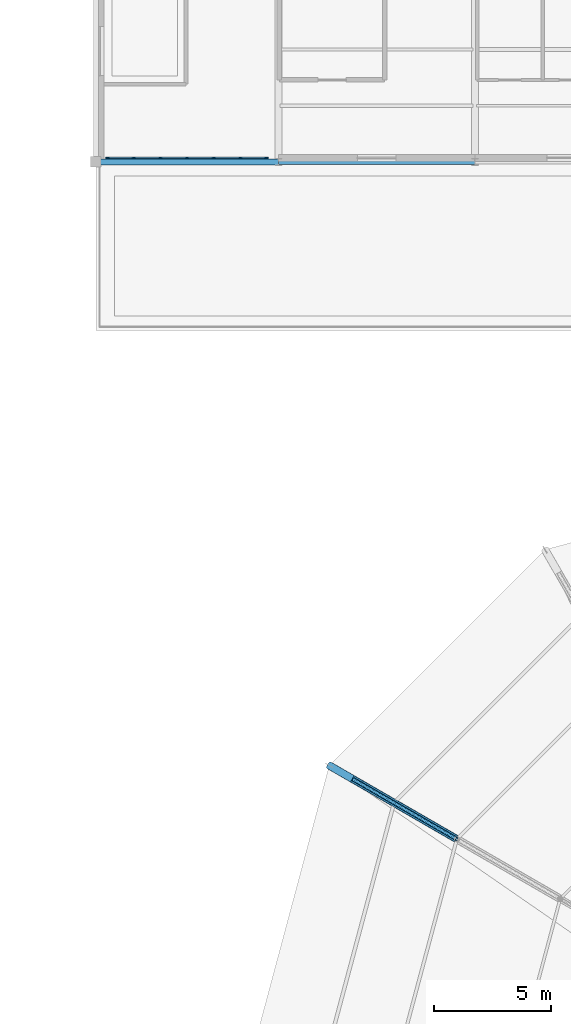
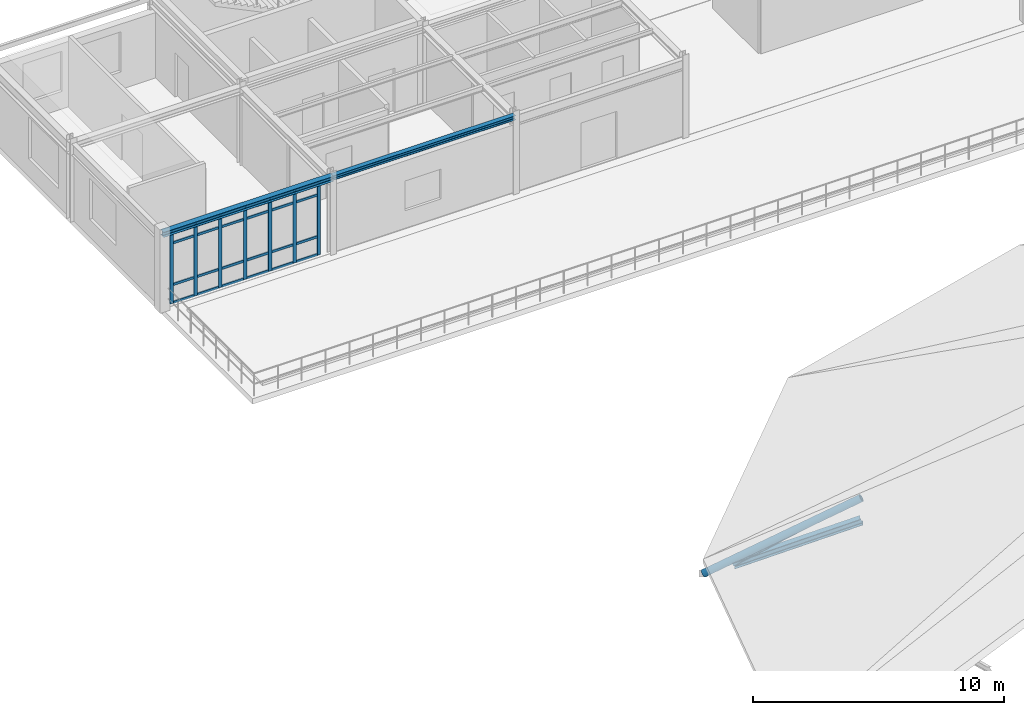
# One storey, part 14 of 58: 34 members, 2 beams, 1 element without a shape of its own.
"""IFC4 building model written with IfcOpenShell, lengths in metres."""

import ifcopenshell
import ifcopenshell.guid

model = None  # the IFC model being written
_history = None  # IfcOwnerHistory: only IFC2X3 demands one
_inside = {}  # id of a spatial element -> (the spatial element, [elements in it])
_under = {}  # id of a project, library or spatial element -> (it, [spatial elements below it])
_declared = {}  # id of a project -> (the project, [libraries it declares])
_typed = {}  # id of a type object -> (the type object, [elements of that type])
_made_of = {}  # id of a material, layer set ... -> (it, [elements and type objects made of it])


def new_model(schema):
    """Start an empty IFC model of exactly this schema.

    Asked for "IFC4X3", IfcOpenShell would pick the latest addendum, in which some entities
    have other attributes; the version numbers below select the first issue.
    IFC2X3 requires an IfcOwnerHistory on every rooted entity: one is made here for all.
    """
    global model, _history
    if schema == "IFC4X3":
        model = ifcopenshell.file(schema_version=(4, 3, 0, 0))
    else:
        model = ifcopenshell.file(schema=schema)
    _inside.clear()
    _under.clear()
    _declared.clear()
    _typed.clear()
    _made_of.clear()
    _history = None
    if model.schema == "IFC2X3":
        org = make("IfcOrganization", Name="unknown")
        user = make(
            "IfcPersonAndOrganization",
            ThePerson=make("IfcPerson", FamilyName="unknown"),
            TheOrganization=org,
        )
        app = make(
            "IfcApplication",
            ApplicationDeveloper=org,
            Version="unknown",
            ApplicationFullName="unknown",
            ApplicationIdentifier="unknown",
        )
        _history = make(
            "IfcOwnerHistory",
            OwningUser=user,
            OwningApplication=app,
            ChangeAction="ADDED",
            CreationDate=0,
        )
    return model


def make(cls, **values):
    """One entity of the class cls with the attributes given. An attribute that is None is left unset."""
    return model.create_entity(
        cls, **{name: value for name, value in values.items() if value is not None}
    )


def rooted(cls, **values):
    """An entity with a GlobalId (a new one), such as an element, a storey or a relation."""
    return make(cls, GlobalId=ifcopenshell.guid.new(), OwnerHistory=_history, **values)


def si_unit(unit_type, name, prefix=None):
    """IfcSIUnit, for example si_unit("LENGTHUNIT", "METRE", prefix="MILLI")."""
    return make("IfcSIUnit", UnitType=unit_type, Prefix=prefix, Name=name)


def derived_unit(unit_type, elements):
    """IfcDerivedUnit: a product of units, each with its exponent."""
    return make(
        "IfcDerivedUnit",
        Elements=[
            make("IfcDerivedUnitElement", Unit=unit, Exponent=power)
            for unit, power in elements
        ],
        UnitType=unit_type,
    )


def assignment(units):
    """IfcUnitAssignment: the units of a project."""
    return None if units is None else make("IfcUnitAssignment", Units=units)


def point(xyz):
    """IfcCartesianPoint."""
    return None if xyz is None else make("IfcCartesianPoint", Coordinates=xyz)


def direction(xyz):
    """IfcDirection."""
    return None if xyz is None else make("IfcDirection", DirectionRatios=xyz)


def frame(location, z_axis=None, x_axis=None):
    """IfcAxis2Placement3D, a coordinate frame: its origin and axes. An axis left out is left unset."""
    return make(
        "IfcAxis2Placement3D",
        Location=point(location),
        Axis=direction(z_axis),
        RefDirection=direction(x_axis),
    )


def frame_2d(location, x_axis=None):
    """IfcAxis2Placement2D, a coordinate frame in the plane: its origin and x axis."""
    return make(
        "IfcAxis2Placement2D", Location=point(location), RefDirection=direction(x_axis)
    )


def origin():
    """The frame at (0, 0, 0) with its axes left unset."""
    return frame((0.0, 0.0, 0.0))


def origin_2d():
    """The frame at (0, 0) in the plane with its x axis left unset."""
    return frame_2d((0.0, 0.0))


def place(relative_to, where):
    """IfcLocalPlacement: puts the frame where relative to a parent placement (None: the world)."""
    return make(
        "IfcLocalPlacement", PlacementRelTo=relative_to, RelativePlacement=where
    )


def context(
    kind, dimensions, precision=None, world=None, true_north=None, identifier=None
):
    """IfcGeometricRepresentationContext, for example the 3D "Model" context."""
    return make(
        "IfcGeometricRepresentationContext",
        ContextIdentifier=identifier,
        ContextType=kind,
        CoordinateSpaceDimension=dimensions,
        Precision=precision,
        WorldCoordinateSystem=world,
        TrueNorth=true_north,
    )


def subcontext(parent, identifier, kind, view, scale=None):
    """IfcGeometricRepresentationSubContext, for example "Body" below "Model"."""
    return make(
        "IfcGeometricRepresentationSubContext",
        ContextIdentifier=identifier,
        ContextType=kind,
        ParentContext=parent,
        TargetScale=scale,
        TargetView=view,
    )


def project(units=None, contexts=None):
    """IfcProject with its units and contexts."""
    return rooted(
        "IfcProject",
        Name="project",
        RepresentationContexts=contexts,
        UnitsInContext=assignment(units),
    )


def spatial(cls, under=None, at=None, **own):
    """A site, building, storey or space (cls), placed at a placement, below another one or the project."""
    s = rooted(cls, ObjectPlacement=at, **own)
    if under is not None:
        _under.setdefault(under.id(), (under, []))[1].append(s)
    return s


def profile(cls, at=None, kind="AREA", **sizes):
    """A parametric profile (cls). Its sizes go by their IFC names, for example OverallWidth=200.0."""
    return make(cls, ProfileType=kind, Position=at, **sizes)


def rectangle(**sizes):
    """IfcRectangleProfileDef."""
    return profile("IfcRectangleProfileDef", **sizes)


def hollow_circle(**sizes):
    """IfcCircleHollowProfileDef."""
    return profile("IfcCircleHollowProfileDef", **sizes)


def i_section(**sizes):
    """IfcIShapeProfileDef."""
    return profile("IfcIShapeProfileDef", **sizes)


def extrude(swept, where, along, depth):
    """IfcExtrudedAreaSolid: the profile swept, set in the frame where, extruded along a direction by depth."""
    return make(
        "IfcExtrudedAreaSolid",
        SweptArea=swept,
        Position=where,
        ExtrudedDirection=direction(along),
        Depth=depth,
    )


def shape(context_of_items, identifier, shape_type, items):
    """IfcShapeRepresentation: the items that make up one representation, for example the "Body"."""
    return make(
        "IfcShapeRepresentation",
        ContextOfItems=context_of_items,
        RepresentationIdentifier=identifier,
        RepresentationType=shape_type,
        Items=items,
    )


def material(Name=None, Category=None):
    """IfcMaterial."""
    return make("IfcMaterial", Name=Name, Category=Category)


def layer(
    of_material, thickness, ventilated=None, Name=None, Category=None, Priority=None
):
    """IfcMaterialLayer: one layer of a wall or slab, of a material (None: an air gap)."""
    return make(
        "IfcMaterialLayer",
        Material=of_material,
        LayerThickness=thickness,
        IsVentilated=ventilated,
        Name=Name,
        Category=Category,
        Priority=Priority,
    )


def layer_set(layers, Name=None):
    """IfcMaterialLayerSet."""
    return make("IfcMaterialLayerSet", MaterialLayers=layers, LayerSetName=Name)


def material_profile(
    of_material, cross_section, Name=None, Category=None, Priority=None
):
    """IfcMaterialProfile: a cross section and its material."""
    return make(
        "IfcMaterialProfile",
        Name=Name,
        Material=of_material,
        Profile=cross_section,
        Priority=Priority,
        Category=Category,
    )


def profile_set(profiles, Name=None, composite=None):
    """IfcMaterialProfileSet."""
    return make(
        "IfcMaterialProfileSet",
        Name=Name,
        MaterialProfiles=profiles,
        CompositeProfile=composite,
    )


def made_of(thing, what):
    """Note that an element or type object is made of a material, layer set ...; save() writes the relation."""
    if what is not None:
        _made_of.setdefault(what.id(), (what, []))[1].append(thing)
    return thing


def type_object(cls, material=None, **own):
    """A type object (cls), such as IfcWallType, which elements share."""
    return made_of(rooted(cls, **own), material)


def element(
    cls,
    number,
    at=None,
    inside=None,
    cuts=None,
    type_object=None,
    material=None,
    context=None,
    identifier="Body",
    shape_type=None,
    held_by="IfcProductDefinitionShape",
    body=None,
    shapes=None,
    **own,
):
    """One element of the class cls, such as IfcWall. Its Tag is "e" and its number.

    at: its placement. inside: the storey or other place that contains it. cuts: it is an
    opening in that element (IfcRelVoidsElement). A single representation is given by context,
    identifier, shape_type and body (its items); several are given by shapes. held_by: the class
    of the entity that holds the representations. save() writes the other relations.
    """
    e = rooted(cls, Tag="e%d" % number, ObjectPlacement=at, **own)
    if body is not None:
        shapes = [shape(context, identifier, shape_type, body)]
    if shapes is not None:
        e.Representation = make(held_by, Representations=shapes)
    if inside is not None:
        _inside.setdefault(inside.id(), (inside, []))[1].append(e)
    if cuts is not None:
        rooted(
            "IfcRelVoidsElement", RelatingBuildingElement=cuts, RelatedOpeningElement=e
        )
    if type_object is not None:
        _typed.setdefault(type_object.id(), (type_object, []))[1].append(e)
    return made_of(e, material)


def aggregate(whole, parts):
    """IfcRelAggregates: a whole, such as a stair, and the parts it consists of."""
    return rooted("IfcRelAggregates", RelatingObject=whole, RelatedObjects=parts)


def save(model, path):
    """Write the relations noted so far, then the file.

    IfcRelAggregates (storeys below a building ...), IfcRelContainedInSpatialStructure (elements
    in a storey), IfcRelDefinesByType, IfcRelAssociatesMaterial and IfcRelDeclares: one each for
    every whole, place, type object, material and project.
    """
    for whole, parts in _under.values():
        aggregate(whole, parts)
    for where, things in _inside.values():
        rooted(
            "IfcRelContainedInSpatialStructure",
            RelatedElements=things,
            RelatingStructure=where,
        )
    for kind, things in _typed.values():
        rooted("IfcRelDefinesByType", RelatedObjects=things, RelatingType=kind)
    for what, things in _made_of.values():
        rooted("IfcRelAssociatesMaterial", RelatedObjects=things, RelatingMaterial=what)
    for by, libraries in _declared.values():
        rooted("IfcRelDeclares", RelatingContext=by, RelatedDefinitions=libraries)
    model.write(path)


model = new_model("IFC4")

# Units and contexts
model_context = context("Model", 3, precision=1e-05, world=origin(), true_north=direction((0.0, 1.0)))
body_context = subcontext(model_context, "Body", "Model", "MODEL_VIEW")
ifc_project = project(units=[si_unit("LENGTHUNIT", "METRE"), si_unit("AREAUNIT", "SQUARE_METRE"), si_unit("VOLUMEUNIT", "CUBIC_METRE"), si_unit("PLANEANGLEUNIT", "RADIAN"), si_unit("MASSUNIT", "GRAM", prefix="KILO"), derived_unit("THERMALTRANSMITTANCEUNIT", [(si_unit("POWERUNIT", "WATT"), 1), (si_unit("AREAUNIT", "SQUARE_METRE"), -1), (si_unit("THERMODYNAMICTEMPERATUREUNIT", "KELVIN"), -1)])], contexts=[model_context])

# Site, building, storey
site_placement = place(None, origin())
site = spatial("IfcSite", under=ifc_project, at=site_placement, CompositionType="ELEMENT")
building_placement = place(site_placement, origin())
building = spatial("IfcBuilding", under=site, at=building_placement, Name="Yasenodar Specialist Clinic", CompositionType="ELEMENT")
storey_placement = place(building_placement, frame((0.0, 0.0, 21.300048828125)))
storey = spatial("IfcBuildingStorey", under=building, at=storey_placement, Name="L05", CompositionType="ELEMENT", Elevation=21.300048828125)

# Beams
ifc_material_1 = material(Name="Steel S355", Category="steel")
ifc_material_profile_1 = material_profile(ifc_material_1, i_section(OverallWidth=0.219970703125, OverallDepth=0.2099609375, WebThickness=0.007080078125, FlangeThickness=0.010986328125, FilletRadius=0.01806640625, at=origin_2d()), Name="HEA 220")
ifc_profile_set_1 = profile_set([ifc_material_profile_1], Name="Steel S355")
beam_type_1 = type_object("IfcBeamType", Name="BM-HEA220", PredefinedType="BEAM", material=ifc_profile_set_1)
beam_1_placement = place(storey_placement, frame((57.0, 97.199951171875, 3.695068359375), z_axis=(1.0, 0.0, 0.0), x_axis=(0.0, 1.0, 0.0)))
element("IfcBeam", 1, at=beam_1_placement, inside=storey, type_object=beam_type_1, Name="L05 Primary E-W Girder", PredefinedType="BEAM", context=body_context, shape_type="SweptSolid", body=[
    extrude(i_section(OverallWidth=0.219970703125, OverallDepth=0.2099609375, WebThickness=0.007080078125, FlangeThickness=0.010986328125, FilletRadius=0.01806640625, at=origin_2d()), origin(), (0.0, 0.0, 1.0), 8.39990234375),
])
ifc_material_profile_2 = material_profile(ifc_material_1, i_section(OverallWidth=0.260009765625, OverallDepth=0.25, WebThickness=0.007568359375, FlangeThickness=0.012451171875, FilletRadius=0.02392578125, at=origin_2d()), Name="HEA 260")
ifc_profile_set_2 = profile_set([ifc_material_profile_2], Name="Steel S355")
beam_type_2 = type_object("IfcBeamType", Name="BM-HEA260", PredefinedType="BEAM", material=ifc_profile_set_2)
beam_2_placement = place(storey_placement, frame((49.199951171875, 97.199951171875, 3.675048828125), z_axis=(1.0, 0.0, 0.0), x_axis=(0.0, 1.0, 0.0)))
element("IfcBeam", 2, at=beam_2_placement, inside=storey, type_object=beam_type_2, Name="L05 Primary E-W Girder", PredefinedType="BEAM", context=body_context, shape_type="SweptSolid", body=[
    extrude(i_section(OverallWidth=0.260009765625, OverallDepth=0.25, WebThickness=0.007568359375, FlangeThickness=0.012451171875, FilletRadius=0.02392578125, at=origin_2d()), origin(), (0.0, 0.0, 1.0), 7.800048828125),
])

# Curtain wall, members
ifc_material_2 = material(Name="Bronze Anodized Aluminium and Triple Low-E Glass", Category="aluminium")
ifc_layer = layer(ifc_material_2, 0.215087890625)
ifc_layer_set = layer_set([ifc_layer], Name="Bronze Anodized Aluminium and Triple Low-E Glass")
curtain_wall_type = type_object("IfcCurtainWallType", Name="CW-SYS-05", PredefinedType="USERDEFINED", material=ifc_layer_set)
curtain_wall_placement = place(storey_placement, origin())
curtain_wall = element("IfcCurtainWall", 3, at=curtain_wall_placement, inside=storey, type_object=curtain_wall_type, Name="L05 Unitised Curtain Wall 167", ObjectType="UNITISED CURTAIN WALL", PredefinedType="USERDEFINED")
ifc_material_3 = material(Name="Bronze Anodized Aluminium", Category="aluminium")
ifc_material_profile_3 = material_profile(ifc_material_3, rectangle(XDim=0.06005859375, YDim=0.159912109375, at=origin_2d()), Name="CW-MULL 60x160")
ifc_profile_set_3 = profile_set([ifc_material_profile_3], Name="Bronze Anodized Aluminium")
member_type_1 = type_object("IfcMemberType", Name="CW-MULL-160", PredefinedType="MULLION", material=ifc_profile_set_3)
member_1_placement = place(storey_placement, frame((56.489990234375, 97.3701171875, 0.0), z_axis=(0.0, 0.0, 1.0), x_axis=(0.0, -1.0, 0.0)))
member_1 = element("IfcMember", 4, at=member_1_placement, type_object=member_type_1, Name="CW-05 mullion 1", PredefinedType="MULLION", context=body_context, shape_type="SweptSolid", body=[
    extrude(rectangle(XDim=0.06005859375, YDim=0.159912109375, at=origin_2d()), origin(), (0.0, 0.0, 1.0), 3.52783203125),
])
member_2_placement = place(storey_placement, frame((55.3798828125, 97.3701171875, 0.0), z_axis=(0.0, 0.0, 1.0), x_axis=(0.0, -1.0, 0.0)))
member_2 = element("IfcMember", 5, at=member_2_placement, type_object=member_type_1, Name="CW-05 mullion 2", PredefinedType="MULLION", context=body_context, shape_type="SweptSolid", body=[
    extrude(rectangle(XDim=0.06005859375, YDim=0.159912109375, at=origin_2d()), origin(), (0.0, 0.0, 1.0), 3.52783203125),
])
member_3_placement = place(storey_placement, frame((54.239990234375, 97.3701171875, 0.0), z_axis=(0.0, 0.0, 1.0), x_axis=(0.0, -1.0, 0.0)))
member_3 = element("IfcMember", 6, at=member_3_placement, type_object=member_type_1, Name="CW-05 mullion 3", PredefinedType="MULLION", context=body_context, shape_type="SweptSolid", body=[
    extrude(rectangle(XDim=0.06005859375, YDim=0.159912109375, at=origin_2d()), origin(), (0.0, 0.0, 1.0), 3.52783203125),
])
member_4_placement = place(storey_placement, frame((53.10009765625, 97.3701171875, 0.0), z_axis=(0.0, 0.0, 1.0), x_axis=(0.0, -1.0, 0.0)))
member_4 = element("IfcMember", 7, at=member_4_placement, type_object=member_type_1, Name="CW-05 mullion 4", PredefinedType="MULLION", context=body_context, shape_type="SweptSolid", body=[
    extrude(rectangle(XDim=0.06005859375, YDim=0.159912109375, at=origin_2d()), origin(), (0.0, 0.0, 1.0), 3.52783203125),
])
member_5_placement = place(storey_placement, frame((51.9599609375, 97.3701171875, 0.0), z_axis=(0.0, 0.0, 1.0), x_axis=(0.0, -1.0, 0.0)))
member_5 = element("IfcMember", 8, at=member_5_placement, type_object=member_type_1, Name="CW-05 mullion 5", PredefinedType="MULLION", context=body_context, shape_type="SweptSolid", body=[
    extrude(rectangle(XDim=0.06005859375, YDim=0.159912109375, at=origin_2d()), origin(), (0.0, 0.0, 1.0), 3.52783203125),
])
member_6_placement = place(storey_placement, frame((50.820068359375, 97.3701171875, 0.0), z_axis=(0.0, 0.0, 1.0), x_axis=(0.0, -1.0, 0.0)))
member_6 = element("IfcMember", 9, at=member_6_placement, type_object=member_type_1, Name="CW-05 mullion 6", PredefinedType="MULLION", context=body_context, shape_type="SweptSolid", body=[
    extrude(rectangle(XDim=0.06005859375, YDim=0.159912109375, at=origin_2d()), origin(), (0.0, 0.0, 1.0), 3.52783203125),
])
member_7_placement = place(storey_placement, frame((49.7099609375, 97.3701171875, 0.0), z_axis=(0.0, 0.0, 1.0), x_axis=(0.0, -1.0, 0.0)))
member_7 = element("IfcMember", 10, at=member_7_placement, type_object=member_type_1, Name="CW-05 mullion 7", PredefinedType="MULLION", context=body_context, shape_type="SweptSolid", body=[
    extrude(rectangle(XDim=0.06005859375, YDim=0.159912109375, at=origin_2d()), origin(), (0.0, 0.0, 1.0), 3.52783203125),
])
ifc_material_profile_4 = material_profile(ifc_material_3, rectangle(XDim=0.06005859375, YDim=0.1201171875, at=origin_2d()), Name="CW-TRAN 60x120")
ifc_profile_set_4 = profile_set([ifc_material_profile_4], Name="Bronze Anodized Aluminium")
member_type_2 = type_object("IfcMemberType", Name="CW-TRAN-120", PredefinedType="USERDEFINED", material=ifc_profile_set_4)
member_8_placement = place(storey_placement, frame((56.4599609375, 97.3701171875, 0.030029296875), z_axis=(-1.0, 0.0, 0.0), x_axis=(0.0, -1.0, 0.0)))
member_8 = element("IfcMember", 11, at=member_8_placement, type_object=member_type_2, Name="CW-05 transom 1.1", ObjectType="TRANSOM", PredefinedType="USERDEFINED", context=body_context, shape_type="SweptSolid", body=[
    extrude(rectangle(XDim=0.06005859375, YDim=0.1201171875, at=origin_2d()), origin(), (0.0, 0.0, 1.0), 1.050048828125),
])
member_9_placement = place(storey_placement, frame((56.4599609375, 97.3701171875, 0.89990234375), z_axis=(-1.0, 0.0, 0.0), x_axis=(0.0, -1.0, 0.0)))
member_9 = element("IfcMember", 12, at=member_9_placement, type_object=member_type_2, Name="CW-05 transom 1.2", ObjectType="TRANSOM", PredefinedType="USERDEFINED", context=body_context, shape_type="SweptSolid", body=[
    extrude(rectangle(XDim=0.06005859375, YDim=0.1201171875, at=origin_2d()), origin(), (0.0, 0.0, 1.0), 1.050048828125),
])
member_10_placement = place(storey_placement, frame((56.4599609375, 97.3701171875, 2.927978515625), z_axis=(-1.0, 0.0, 0.0), x_axis=(0.0, -1.0, 0.0)))
member_10 = element("IfcMember", 13, at=member_10_placement, type_object=member_type_2, Name="CW-05 transom 1.3", ObjectType="TRANSOM", PredefinedType="USERDEFINED", context=body_context, shape_type="SweptSolid", body=[
    extrude(rectangle(XDim=0.06005859375, YDim=0.1201171875, at=origin_2d()), origin(), (0.0, 0.0, 1.0), 1.050048828125),
])
member_11_placement = place(storey_placement, frame((56.4599609375, 97.3701171875, 3.498046875), z_axis=(-1.0, 0.0, 0.0), x_axis=(0.0, -1.0, 0.0)))
member_11 = element("IfcMember", 14, at=member_11_placement, type_object=member_type_2, Name="CW-05 transom 1.4", ObjectType="TRANSOM", PredefinedType="USERDEFINED", context=body_context, shape_type="SweptSolid", body=[
    extrude(rectangle(XDim=0.06005859375, YDim=0.1201171875, at=origin_2d()), origin(), (0.0, 0.0, 1.0), 1.050048828125),
])
member_12_placement = place(storey_placement, frame((55.35009765625, 97.3701171875, 0.030029296875), z_axis=(-1.0, 0.0, 0.0), x_axis=(0.0, -1.0, 0.0)))
member_12 = element("IfcMember", 15, at=member_12_placement, type_object=member_type_2, Name="CW-05 transom 2.1", ObjectType="TRANSOM", PredefinedType="USERDEFINED", context=body_context, shape_type="SweptSolid", body=[
    extrude(rectangle(XDim=0.06005859375, YDim=0.1201171875, at=origin_2d()), origin(), (0.0, 0.0, 1.0), 1.080078125),
])
member_13_placement = place(storey_placement, frame((55.35009765625, 97.3701171875, 0.89990234375), z_axis=(-1.0, 0.0, 0.0), x_axis=(0.0, -1.0, 0.0)))
member_13 = element("IfcMember", 16, at=member_13_placement, type_object=member_type_2, Name="CW-05 transom 2.2", ObjectType="TRANSOM", PredefinedType="USERDEFINED", context=body_context, shape_type="SweptSolid", body=[
    extrude(rectangle(XDim=0.06005859375, YDim=0.1201171875, at=origin_2d()), origin(), (0.0, 0.0, 1.0), 1.080078125),
])
member_14_placement = place(storey_placement, frame((55.35009765625, 97.3701171875, 2.927978515625), z_axis=(-1.0, 0.0, 0.0), x_axis=(0.0, -1.0, 0.0)))
member_14 = element("IfcMember", 17, at=member_14_placement, type_object=member_type_2, Name="CW-05 transom 2.3", ObjectType="TRANSOM", PredefinedType="USERDEFINED", context=body_context, shape_type="SweptSolid", body=[
    extrude(rectangle(XDim=0.06005859375, YDim=0.1201171875, at=origin_2d()), origin(), (0.0, 0.0, 1.0), 1.080078125),
])
member_15_placement = place(storey_placement, frame((55.35009765625, 97.3701171875, 3.498046875), z_axis=(-1.0, 0.0, 0.0), x_axis=(0.0, -1.0, 0.0)))
member_15 = element("IfcMember", 18, at=member_15_placement, type_object=member_type_2, Name="CW-05 transom 2.4", ObjectType="TRANSOM", PredefinedType="USERDEFINED", context=body_context, shape_type="SweptSolid", body=[
    extrude(rectangle(XDim=0.06005859375, YDim=0.1201171875, at=origin_2d()), origin(), (0.0, 0.0, 1.0), 1.080078125),
])
member_16_placement = place(storey_placement, frame((54.2099609375, 97.3701171875, 0.030029296875), z_axis=(-1.0, 0.0, 0.0), x_axis=(0.0, -1.0, 0.0)))
member_16 = element("IfcMember", 19, at=member_16_placement, type_object=member_type_2, Name="CW-05 transom 3.1", ObjectType="TRANSOM", PredefinedType="USERDEFINED", context=body_context, shape_type="SweptSolid", body=[
    extrude(rectangle(XDim=0.06005859375, YDim=0.1201171875, at=origin_2d()), origin(), (0.0, 0.0, 1.0), 1.080078125),
])
member_17_placement = place(storey_placement, frame((54.2099609375, 97.3701171875, 0.89990234375), z_axis=(-1.0, 0.0, 0.0), x_axis=(0.0, -1.0, 0.0)))
member_17 = element("IfcMember", 20, at=member_17_placement, type_object=member_type_2, Name="CW-05 transom 3.2", ObjectType="TRANSOM", PredefinedType="USERDEFINED", context=body_context, shape_type="SweptSolid", body=[
    extrude(rectangle(XDim=0.06005859375, YDim=0.1201171875, at=origin_2d()), origin(), (0.0, 0.0, 1.0), 1.080078125),
])
member_18_placement = place(storey_placement, frame((54.2099609375, 97.3701171875, 2.927978515625), z_axis=(-1.0, 0.0, 0.0), x_axis=(0.0, -1.0, 0.0)))
member_18 = element("IfcMember", 21, at=member_18_placement, type_object=member_type_2, Name="CW-05 transom 3.3", ObjectType="TRANSOM", PredefinedType="USERDEFINED", context=body_context, shape_type="SweptSolid", body=[
    extrude(rectangle(XDim=0.06005859375, YDim=0.1201171875, at=origin_2d()), origin(), (0.0, 0.0, 1.0), 1.080078125),
])
member_19_placement = place(storey_placement, frame((54.2099609375, 97.3701171875, 3.498046875), z_axis=(-1.0, 0.0, 0.0), x_axis=(0.0, -1.0, 0.0)))
member_19 = element("IfcMember", 22, at=member_19_placement, type_object=member_type_2, Name="CW-05 transom 3.4", ObjectType="TRANSOM", PredefinedType="USERDEFINED", context=body_context, shape_type="SweptSolid", body=[
    extrude(rectangle(XDim=0.06005859375, YDim=0.1201171875, at=origin_2d()), origin(), (0.0, 0.0, 1.0), 1.080078125),
])
member_20_placement = place(storey_placement, frame((53.070068359375, 97.3701171875, 0.030029296875), z_axis=(-1.0, 0.0, 0.0), x_axis=(0.0, -1.0, 0.0)))
member_20 = element("IfcMember", 23, at=member_20_placement, type_object=member_type_2, Name="CW-05 transom 4.1", ObjectType="TRANSOM", PredefinedType="USERDEFINED", context=body_context, shape_type="SweptSolid", body=[
    extrude(rectangle(XDim=0.06005859375, YDim=0.1201171875, at=origin_2d()), origin(), (0.0, 0.0, 1.0), 1.080078125),
])
member_21_placement = place(storey_placement, frame((53.070068359375, 97.3701171875, 0.89990234375), z_axis=(-1.0, 0.0, 0.0), x_axis=(0.0, -1.0, 0.0)))
member_21 = element("IfcMember", 24, at=member_21_placement, type_object=member_type_2, Name="CW-05 transom 4.2", ObjectType="TRANSOM", PredefinedType="USERDEFINED", context=body_context, shape_type="SweptSolid", body=[
    extrude(rectangle(XDim=0.06005859375, YDim=0.1201171875, at=origin_2d()), origin(), (0.0, 0.0, 1.0), 1.080078125),
])
member_22_placement = place(storey_placement, frame((53.070068359375, 97.3701171875, 2.927978515625), z_axis=(-1.0, 0.0, 0.0), x_axis=(0.0, -1.0, 0.0)))
member_22 = element("IfcMember", 25, at=member_22_placement, type_object=member_type_2, Name="CW-05 transom 4.3", ObjectType="TRANSOM", PredefinedType="USERDEFINED", context=body_context, shape_type="SweptSolid", body=[
    extrude(rectangle(XDim=0.06005859375, YDim=0.1201171875, at=origin_2d()), origin(), (0.0, 0.0, 1.0), 1.080078125),
])
member_23_placement = place(storey_placement, frame((53.070068359375, 97.3701171875, 3.498046875), z_axis=(-1.0, 0.0, 0.0), x_axis=(0.0, -1.0, 0.0)))
member_23 = element("IfcMember", 26, at=member_23_placement, type_object=member_type_2, Name="CW-05 transom 4.4", ObjectType="TRANSOM", PredefinedType="USERDEFINED", context=body_context, shape_type="SweptSolid", body=[
    extrude(rectangle(XDim=0.06005859375, YDim=0.1201171875, at=origin_2d()), origin(), (0.0, 0.0, 1.0), 1.080078125),
])
member_24_placement = place(storey_placement, frame((51.929931640625, 97.3701171875, 0.030029296875), z_axis=(-1.0, 0.0, 0.0), x_axis=(0.0, -1.0, 0.0)))
member_24 = element("IfcMember", 27, at=member_24_placement, type_object=member_type_2, Name="CW-05 transom 5.1", ObjectType="TRANSOM", PredefinedType="USERDEFINED", context=body_context, shape_type="SweptSolid", body=[
    extrude(rectangle(XDim=0.06005859375, YDim=0.1201171875, at=origin_2d()), origin(), (0.0, 0.0, 1.0), 1.079833984375),
])
member_25_placement = place(storey_placement, frame((51.929931640625, 97.3701171875, 0.89990234375), z_axis=(-1.0, 0.0, 0.0), x_axis=(0.0, -1.0, 0.0)))
member_25 = element("IfcMember", 28, at=member_25_placement, type_object=member_type_2, Name="CW-05 transom 5.2", ObjectType="TRANSOM", PredefinedType="USERDEFINED", context=body_context, shape_type="SweptSolid", body=[
    extrude(rectangle(XDim=0.06005859375, YDim=0.1201171875, at=origin_2d()), origin(), (0.0, 0.0, 1.0), 1.079833984375),
])
member_26_placement = place(storey_placement, frame((51.929931640625, 97.3701171875, 2.927978515625), z_axis=(-1.0, 0.0, 0.0), x_axis=(0.0, -1.0, 0.0)))
member_26 = element("IfcMember", 29, at=member_26_placement, type_object=member_type_2, Name="CW-05 transom 5.3", ObjectType="TRANSOM", PredefinedType="USERDEFINED", context=body_context, shape_type="SweptSolid", body=[
    extrude(rectangle(XDim=0.06005859375, YDim=0.1201171875, at=origin_2d()), origin(), (0.0, 0.0, 1.0), 1.079833984375),
])
member_27_placement = place(storey_placement, frame((51.929931640625, 97.3701171875, 3.498046875), z_axis=(-1.0, 0.0, 0.0), x_axis=(0.0, -1.0, 0.0)))
member_27 = element("IfcMember", 30, at=member_27_placement, type_object=member_type_2, Name="CW-05 transom 5.4", ObjectType="TRANSOM", PredefinedType="USERDEFINED", context=body_context, shape_type="SweptSolid", body=[
    extrude(rectangle(XDim=0.06005859375, YDim=0.1201171875, at=origin_2d()), origin(), (0.0, 0.0, 1.0), 1.079833984375),
])
member_28_placement = place(storey_placement, frame((50.7900390625, 97.3701171875, 0.030029296875), z_axis=(-1.0, 0.0, 0.0), x_axis=(0.0, -1.0, 0.0)))
member_28 = element("IfcMember", 31, at=member_28_placement, type_object=member_type_2, Name="CW-05 transom 6.1", ObjectType="TRANSOM", PredefinedType="USERDEFINED", context=body_context, shape_type="SweptSolid", body=[
    extrude(rectangle(XDim=0.06005859375, YDim=0.1201171875, at=origin_2d()), origin(), (0.0, 0.0, 1.0), 1.050048828125),
])
member_29_placement = place(storey_placement, frame((50.7900390625, 97.3701171875, 0.89990234375), z_axis=(-1.0, 0.0, 0.0), x_axis=(0.0, -1.0, 0.0)))
member_29 = element("IfcMember", 32, at=member_29_placement, type_object=member_type_2, Name="CW-05 transom 6.2", ObjectType="TRANSOM", PredefinedType="USERDEFINED", context=body_context, shape_type="SweptSolid", body=[
    extrude(rectangle(XDim=0.06005859375, YDim=0.1201171875, at=origin_2d()), origin(), (0.0, 0.0, 1.0), 1.050048828125),
])
member_30_placement = place(storey_placement, frame((50.7900390625, 97.3701171875, 2.927978515625), z_axis=(-1.0, 0.0, 0.0), x_axis=(0.0, -1.0, 0.0)))
member_30 = element("IfcMember", 33, at=member_30_placement, type_object=member_type_2, Name="CW-05 transom 6.3", ObjectType="TRANSOM", PredefinedType="USERDEFINED", context=body_context, shape_type="SweptSolid", body=[
    extrude(rectangle(XDim=0.06005859375, YDim=0.1201171875, at=origin_2d()), origin(), (0.0, 0.0, 1.0), 1.050048828125),
])
member_31_placement = place(storey_placement, frame((50.7900390625, 97.3701171875, 3.498046875), z_axis=(-1.0, 0.0, 0.0), x_axis=(0.0, -1.0, 0.0)))
member_31 = element("IfcMember", 34, at=member_31_placement, type_object=member_type_2, Name="CW-05 transom 6.4", ObjectType="TRANSOM", PredefinedType="USERDEFINED", context=body_context, shape_type="SweptSolid", body=[
    extrude(rectangle(XDim=0.06005859375, YDim=0.1201171875, at=origin_2d()), origin(), (0.0, 0.0, 1.0), 1.050048828125),
])
aggregate(curtain_wall, [member_1, member_2, member_3, member_4, member_5, member_6, member_7, member_8, member_9, member_10, member_11, member_12, member_13, member_14, member_15, member_16, member_17, member_18, member_19, member_20, member_21, member_22, member_23, member_24, member_25, member_26, member_27, member_28, member_29, member_30, member_31])

# Members
ifc_material_profile_5 = material_profile(ifc_material_1, hollow_circle(Radius=0.084228515625, WallThickness=0.008056640625, at=origin_2d()), Name="CHS 168.3x8")
ifc_profile_set_5 = profile_set([ifc_material_profile_5], Name="Steel S355")
member_type_3 = type_object("IfcMemberType", Name="TR-BRC-CHS168", PredefinedType="BRACE", material=ifc_profile_set_5)
member_32_placement = place(storey_placement, frame((60.21533203125, 70.800048828125, -0.25), z_axis=(0.731967391976, -0.422607893936, 0.534440179128), x_axis=(0.500005610874, 0.86602216432, 0.0)))
element("IfcMember", 35, at=member_32_placement, inside=storey, type_object=member_type_3, Name="Drum Roof Truss 06 Web Diagonal 1", PredefinedType="BRACE", context=body_context, shape_type="SweptSolid", body=[
    extrude(hollow_circle(Radius=0.084228515625, WallThickness=0.008056640625, at=origin_2d()), origin(), (0.0, 0.0, 1.0), 6.0341796875),
])
ifc_material_profile_6 = material_profile(ifc_material_1, hollow_circle(Radius=0.161865234375, WallThickness=0.01611328125, at=origin_2d()), Name="CHS 323.9x16")
ifc_profile_set_6 = profile_set([ifc_material_profile_6], Name="Steel S355")
member_type_4 = type_object("IfcMemberType", Name="TR-CHD-CHS324", PredefinedType="CHORD", material=ifc_profile_set_6)
member_33_placement = place(storey_placement, frame((59.17626953125, 71.39990234375, -0.699951171875), z_axis=(0.748059863693, -0.43189100825, 0.503861684714), x_axis=(0.499998649469, 0.866026183513, 0.0)))
element("IfcMember", 36, at=member_33_placement, inside=storey, type_object=member_type_4, Name="Drum Roof Truss 06 Top Chord 1", PredefinedType="CHORD", context=body_context, shape_type="SweptSolid", body=[
    extrude(hollow_circle(Radius=0.161865234375, WallThickness=0.01611328125, at=origin_2d()), origin(), (0.0, 0.0, 1.0), 7.293212890625),
])
ifc_material_profile_7 = material_profile(ifc_material_1, i_section(OverallWidth=0.300048828125, OverallDepth=0.300048828125, WebThickness=0.010986328125, FlangeThickness=0.01904296875, FilletRadius=0.027099609375, at=origin_2d()), Name="HEB 300")
ifc_profile_set_7 = profile_set([ifc_material_profile_7], Name="Steel S355")
member_type_5 = type_object("IfcMemberType", Name="TR-CHD-HEB300", PredefinedType="CHORD", material=ifc_profile_set_7)
member_34_placement = place(storey_placement, frame((60.21533203125, 70.800048828125, -0.25), z_axis=(0.798711994016, -0.461143484467, 0.38653051283), x_axis=(0.500005610874, 0.86602216432, 0.0)))
element("IfcMember", 37, at=member_34_placement, inside=storey, type_object=member_type_5, Name="Drum Roof Truss 06 Bottom Chord 1", PredefinedType="CHORD", context=body_context, shape_type="SweptSolid", body=[
    extrude(i_section(OverallWidth=0.300048828125, OverallDepth=0.300048828125, WebThickness=0.010986328125, FlangeThickness=0.01904296875, FilletRadius=0.027099609375, at=origin_2d()), origin(), (0.0, 0.0, 1.0), 5.52978515625),
])

save(model, "model.ifc")
